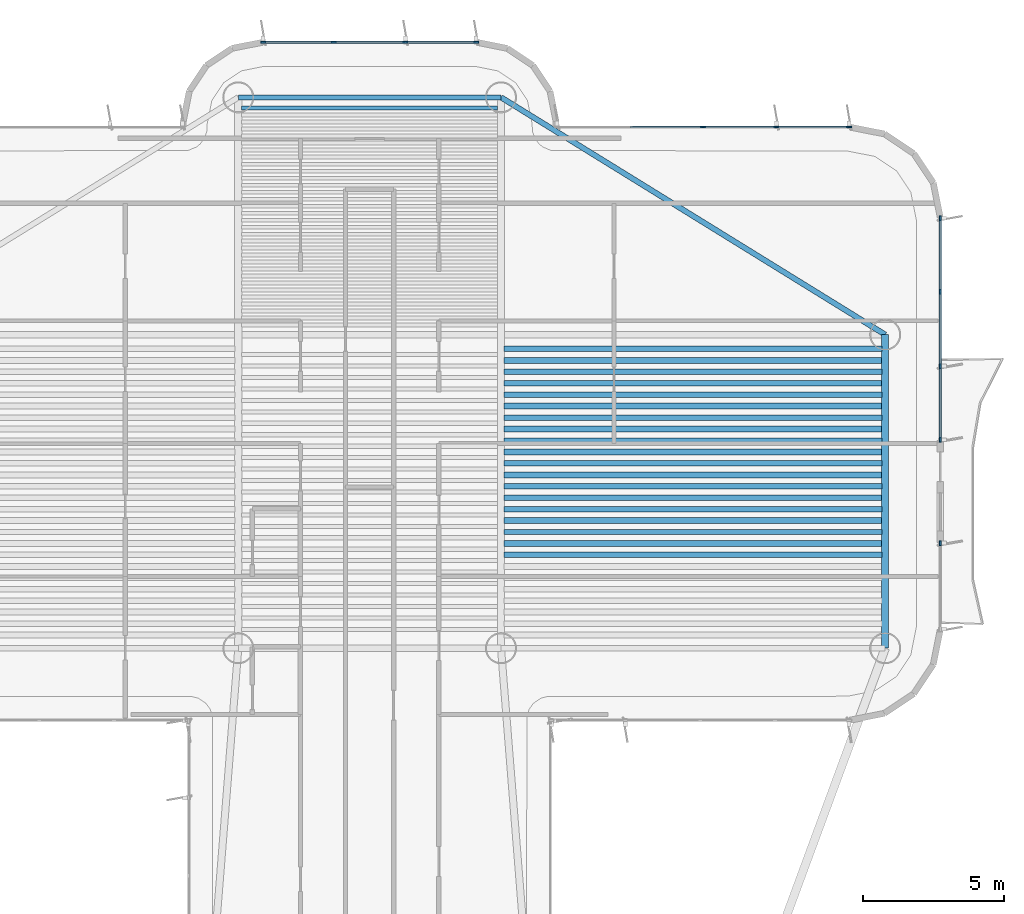
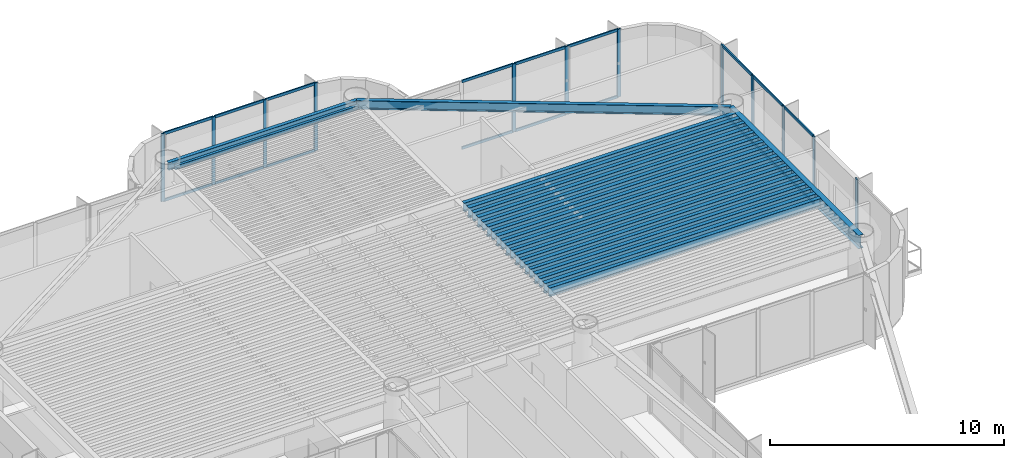
# One storey, part 7 of 14: 30 members, 23 beams, 4 elements without a shape of their own.
"""IFC4 building model written with IfcOpenShell, lengths in metres."""

import ifcopenshell
import ifcopenshell.guid

model = None  # the IFC model being written
_history = None  # IfcOwnerHistory: only IFC2X3 demands one
_inside = {}  # id of a spatial element -> (the spatial element, [elements in it])
_under = {}  # id of a project, library or spatial element -> (it, [spatial elements below it])
_declared = {}  # id of a project -> (the project, [libraries it declares])
_typed = {}  # id of a type object -> (the type object, [elements of that type])
_made_of = {}  # id of a material, layer set ... -> (it, [elements and type objects made of it])


def new_model(schema):
    """Start an empty IFC model of exactly this schema.

    Asked for "IFC4X3", IfcOpenShell would pick the latest addendum, in which some entities
    have other attributes; the version numbers below select the first issue.
    IFC2X3 requires an IfcOwnerHistory on every rooted entity: one is made here for all.
    """
    global model, _history
    if schema == "IFC4X3":
        model = ifcopenshell.file(schema_version=(4, 3, 0, 0))
    else:
        model = ifcopenshell.file(schema=schema)
    _inside.clear()
    _under.clear()
    _declared.clear()
    _typed.clear()
    _made_of.clear()
    _history = None
    if model.schema == "IFC2X3":
        org = make("IfcOrganization", Name="unknown")
        user = make(
            "IfcPersonAndOrganization",
            ThePerson=make("IfcPerson", FamilyName="unknown"),
            TheOrganization=org,
        )
        app = make(
            "IfcApplication",
            ApplicationDeveloper=org,
            Version="unknown",
            ApplicationFullName="unknown",
            ApplicationIdentifier="unknown",
        )
        _history = make(
            "IfcOwnerHistory",
            OwningUser=user,
            OwningApplication=app,
            ChangeAction="ADDED",
            CreationDate=0,
        )
    return model


def make(cls, **values):
    """One entity of the class cls with the attributes given. An attribute that is None is left unset."""
    return model.create_entity(
        cls, **{name: value for name, value in values.items() if value is not None}
    )


def rooted(cls, **values):
    """An entity with a GlobalId (a new one), such as an element, a storey or a relation."""
    return make(cls, GlobalId=ifcopenshell.guid.new(), OwnerHistory=_history, **values)


def si_unit(unit_type, name, prefix=None):
    """IfcSIUnit, for example si_unit("LENGTHUNIT", "METRE", prefix="MILLI")."""
    return make("IfcSIUnit", UnitType=unit_type, Prefix=prefix, Name=name)


def assignment(units):
    """IfcUnitAssignment: the units of a project."""
    return None if units is None else make("IfcUnitAssignment", Units=units)


def point(xyz):
    """IfcCartesianPoint."""
    return None if xyz is None else make("IfcCartesianPoint", Coordinates=xyz)


def direction(xyz):
    """IfcDirection."""
    return None if xyz is None else make("IfcDirection", DirectionRatios=xyz)


def frame(location, z_axis=None, x_axis=None):
    """IfcAxis2Placement3D, a coordinate frame: its origin and axes. An axis left out is left unset."""
    return make(
        "IfcAxis2Placement3D",
        Location=point(location),
        Axis=direction(z_axis),
        RefDirection=direction(x_axis),
    )


def frame_2d(location, x_axis=None):
    """IfcAxis2Placement2D, a coordinate frame in the plane: its origin and x axis."""
    return make(
        "IfcAxis2Placement2D", Location=point(location), RefDirection=direction(x_axis)
    )


def origin():
    """The frame at (0, 0, 0) with its axes left unset."""
    return frame((0.0, 0.0, 0.0))


def origin_2d():
    """The frame at (0, 0) in the plane with its x axis left unset."""
    return frame_2d((0.0, 0.0))


def place(relative_to, where):
    """IfcLocalPlacement: puts the frame where relative to a parent placement (None: the world)."""
    return make(
        "IfcLocalPlacement", PlacementRelTo=relative_to, RelativePlacement=where
    )


def context(
    kind, dimensions, precision=None, world=None, true_north=None, identifier=None
):
    """IfcGeometricRepresentationContext, for example the 3D "Model" context."""
    return make(
        "IfcGeometricRepresentationContext",
        ContextIdentifier=identifier,
        ContextType=kind,
        CoordinateSpaceDimension=dimensions,
        Precision=precision,
        WorldCoordinateSystem=world,
        TrueNorth=true_north,
    )


def subcontext(parent, identifier, kind, view, scale=None):
    """IfcGeometricRepresentationSubContext, for example "Body" below "Model"."""
    return make(
        "IfcGeometricRepresentationSubContext",
        ContextIdentifier=identifier,
        ContextType=kind,
        ParentContext=parent,
        TargetScale=scale,
        TargetView=view,
    )


def project(units=None, contexts=None):
    """IfcProject with its units and contexts."""
    return rooted(
        "IfcProject",
        Name="project",
        RepresentationContexts=contexts,
        UnitsInContext=assignment(units),
    )


def spatial(cls, under=None, at=None, **own):
    """A site, building, storey or space (cls), placed at a placement, below another one or the project."""
    s = rooted(cls, ObjectPlacement=at, **own)
    if under is not None:
        _under.setdefault(under.id(), (under, []))[1].append(s)
    return s


def profile(cls, at=None, kind="AREA", **sizes):
    """A parametric profile (cls). Its sizes go by their IFC names, for example OverallWidth=200.0."""
    return make(cls, ProfileType=kind, Position=at, **sizes)


def rectangle(**sizes):
    """IfcRectangleProfileDef."""
    return profile("IfcRectangleProfileDef", **sizes)


def i_section(**sizes):
    """IfcIShapeProfileDef."""
    return profile("IfcIShapeProfileDef", **sizes)


def extrude(swept, where, along, depth):
    """IfcExtrudedAreaSolid: the profile swept, set in the frame where, extruded along a direction by depth."""
    return make(
        "IfcExtrudedAreaSolid",
        SweptArea=swept,
        Position=where,
        ExtrudedDirection=direction(along),
        Depth=depth,
    )


def shape(context_of_items, identifier, shape_type, items):
    """IfcShapeRepresentation: the items that make up one representation, for example the "Body"."""
    return make(
        "IfcShapeRepresentation",
        ContextOfItems=context_of_items,
        RepresentationIdentifier=identifier,
        RepresentationType=shape_type,
        Items=items,
    )


def source(mapping_origin, context_of_items, identifier, shape_type, items):
    """IfcRepresentationMap: a shape defined once, which mapped items show again and again."""
    return make(
        "IfcRepresentationMap",
        MappingOrigin=mapping_origin,
        MappedRepresentation=shape(context_of_items, identifier, shape_type, items),
    )


def transform(
    local_origin,
    x_axis=None,
    y_axis=None,
    z_axis=None,
    scale=None,
    scale2=None,
    scale3=None,
    uniform=True,
):
    """IfcCartesianTransformationOperator3D, or its non-uniform kind. x_axis, y_axis, z_axis: its Axis1, 2, 3."""
    if uniform:
        return make(
            "IfcCartesianTransformationOperator3D",
            Axis1=direction(x_axis),
            Axis2=direction(y_axis),
            LocalOrigin=point(local_origin),
            Scale=scale,
            Axis3=direction(z_axis),
        )
    return make(
        "IfcCartesianTransformationOperator3DnonUniform",
        Axis1=direction(x_axis),
        Axis2=direction(y_axis),
        LocalOrigin=point(local_origin),
        Scale=scale,
        Axis3=direction(z_axis),
        Scale2=scale2,
        Scale3=scale3,
    )


def mapped(mapping_source, mapping_target):
    """IfcMappedItem: shows the shape of a source again, moved by a transform."""
    return make(
        "IfcMappedItem", MappingSource=mapping_source, MappingTarget=mapping_target
    )


def material(Name=None, Category=None):
    """IfcMaterial."""
    return make("IfcMaterial", Name=Name, Category=Category)


def layer(
    of_material, thickness, ventilated=None, Name=None, Category=None, Priority=None
):
    """IfcMaterialLayer: one layer of a wall or slab, of a material (None: an air gap)."""
    return make(
        "IfcMaterialLayer",
        Material=of_material,
        LayerThickness=thickness,
        IsVentilated=ventilated,
        Name=Name,
        Category=Category,
        Priority=Priority,
    )


def layer_set(layers, Name=None):
    """IfcMaterialLayerSet."""
    return make("IfcMaterialLayerSet", MaterialLayers=layers, LayerSetName=Name)


def material_profile(
    of_material, cross_section, Name=None, Category=None, Priority=None
):
    """IfcMaterialProfile: a cross section and its material."""
    return make(
        "IfcMaterialProfile",
        Name=Name,
        Material=of_material,
        Profile=cross_section,
        Priority=Priority,
        Category=Category,
    )


def profile_set(profiles, Name=None, composite=None):
    """IfcMaterialProfileSet."""
    return make(
        "IfcMaterialProfileSet",
        Name=Name,
        MaterialProfiles=profiles,
        CompositeProfile=composite,
    )


def made_of(thing, what):
    """Note that an element or type object is made of a material, layer set ...; save() writes the relation."""
    if what is not None:
        _made_of.setdefault(what.id(), (what, []))[1].append(thing)
    return thing


def type_object(cls, material=None, **own):
    """A type object (cls), such as IfcWallType, which elements share."""
    return made_of(rooted(cls, **own), material)


def element(
    cls,
    number,
    at=None,
    inside=None,
    cuts=None,
    type_object=None,
    material=None,
    context=None,
    identifier="Body",
    shape_type=None,
    held_by="IfcProductDefinitionShape",
    body=None,
    shapes=None,
    **own,
):
    """One element of the class cls, such as IfcWall. Its Tag is "e" and its number.

    at: its placement. inside: the storey or other place that contains it. cuts: it is an
    opening in that element (IfcRelVoidsElement). A single representation is given by context,
    identifier, shape_type and body (its items); several are given by shapes. held_by: the class
    of the entity that holds the representations. save() writes the other relations.
    """
    e = rooted(cls, Tag="e%d" % number, ObjectPlacement=at, **own)
    if body is not None:
        shapes = [shape(context, identifier, shape_type, body)]
    if shapes is not None:
        e.Representation = make(held_by, Representations=shapes)
    if inside is not None:
        _inside.setdefault(inside.id(), (inside, []))[1].append(e)
    if cuts is not None:
        rooted(
            "IfcRelVoidsElement", RelatingBuildingElement=cuts, RelatedOpeningElement=e
        )
    if type_object is not None:
        _typed.setdefault(type_object.id(), (type_object, []))[1].append(e)
    return made_of(e, material)


def aggregate(whole, parts):
    """IfcRelAggregates: a whole, such as a stair, and the parts it consists of."""
    return rooted("IfcRelAggregates", RelatingObject=whole, RelatedObjects=parts)


def save(model, path):
    """Write the relations noted so far, then the file.

    IfcRelAggregates (storeys below a building ...), IfcRelContainedInSpatialStructure (elements
    in a storey), IfcRelDefinesByType, IfcRelAssociatesMaterial and IfcRelDeclares: one each for
    every whole, place, type object, material and project.
    """
    for whole, parts in _under.values():
        aggregate(whole, parts)
    for where, things in _inside.values():
        rooted(
            "IfcRelContainedInSpatialStructure",
            RelatedElements=things,
            RelatingStructure=where,
        )
    for kind, things in _typed.values():
        rooted("IfcRelDefinesByType", RelatedObjects=things, RelatingType=kind)
    for what, things in _made_of.values():
        rooted("IfcRelAssociatesMaterial", RelatedObjects=things, RelatingMaterial=what)
    for by, libraries in _declared.values():
        rooted("IfcRelDeclares", RelatingContext=by, RelatedDefinitions=libraries)
    model.write(path)


model = new_model("IFC4")

# Units and contexts
model_context = context("Model", 3, precision=1e-05, world=origin(), true_north=direction((0.0, 1.0)))
body_context = subcontext(model_context, "Body", "Model", "MODEL_VIEW")
ifc_project = project(units=[si_unit("LENGTHUNIT", "METRE"), si_unit("AREAUNIT", "SQUARE_METRE"), si_unit("VOLUMEUNIT", "CUBIC_METRE"), si_unit("PLANEANGLEUNIT", "RADIAN"), si_unit("MASSUNIT", "GRAM", prefix="KILO")], contexts=[model_context])

# Site, building, storey
site_placement = place(None, origin())
site = spatial("IfcSite", under=ifc_project, at=site_placement, CompositionType="ELEMENT")
building_placement = place(site_placement, origin())
building = spatial("IfcBuilding", under=site, at=building_placement, Name="Brelvock Crest Care Tower", CompositionType="ELEMENT")
storey_placement = place(building_placement, frame((0.0, 0.0, 198.0)))
storey = spatial("IfcBuildingStorey", under=building, at=storey_placement, Name="L50", CompositionType="ELEMENT", Elevation=198.0)

# Beams
ifc_material_1 = material(Name="Steel Grade 350", Category="steel")
ifc_material_profile_1 = material_profile(ifc_material_1, i_section(OverallWidth=0.177978515625, OverallDepth=0.406005859375, WebThickness=0.0078125, FlangeThickness=0.0126953125, FilletRadius=0.011474609375, at=origin_2d()), Name="410UB59.7")
ifc_profile_set_1 = profile_set([ifc_material_profile_1], Name="Steel Grade 350")
beam_type_1 = type_object("IfcBeamType", Name="BM-SP1", PredefinedType="SPANDREL", material=ifc_profile_set_1)
shared_shape_1 = source(origin(), body_context, "Body", "SweptSolid", [
    extrude(i_section(OverallWidth=0.177978515625, OverallDepth=0.406005859375, WebThickness=0.0078125, FlangeThickness=0.0126953125, FilletRadius=0.011474609375, at=origin_2d()), origin(), (0.0, 0.0, 1.0), 9.2998046875),
])
beam_1_placement = place(storey_placement, frame((31.35009765625, 54.449951171875, 3.326904296875), z_axis=(1.0, 0.0, 0.0), x_axis=(0.0, 1.0, 0.0)))
element("IfcBeam", 1, at=beam_1_placement, inside=storey, type_object=beam_type_1, Name="BM-TWR-L50-08", PredefinedType="SPANDREL", context=body_context, shape_type="MappedRepresentation", body=[
    mapped(shared_shape_1, transform((0.0, 0.0, 0.0), x_axis=(1.0, 0.0, 0.0), y_axis=(0.0, 1.0, 0.0), z_axis=(0.0, 0.0, 1.0), scale=1.0)),
])
ifc_material_profile_2 = material_profile(ifc_material_1, i_section(OverallWidth=0.134033203125, OverallDepth=0.20703125, WebThickness=0.00634765625, FlangeThickness=0.009521484375, FilletRadius=0.0087890625, at=origin_2d()), Name="200UB29.8")
ifc_profile_set_2 = profile_set([ifc_material_profile_2], Name="Steel Grade 350")
beam_type_2 = type_object("IfcBeamType", Name="BM-J4", PredefinedType="JOIST", material=ifc_profile_set_2)
shared_shape_2 = source(origin(), body_context, "Body", "SweptSolid", [
    extrude(i_section(OverallWidth=0.134033203125, OverallDepth=0.20703125, WebThickness=0.00634765625, FlangeThickness=0.009521484375, FilletRadius=0.0087890625, at=origin_2d()), origin(), (0.0, 0.0, 1.0), 9.06982421875),
])
beam_2_placement = place(storey_placement, frame((31.465087890625, 54.06787109375, 3.426513671875), z_axis=(1.0, 0.0, 0.0), x_axis=(0.0, 1.0, 0.0)))
element("IfcBeam", 2, at=beam_2_placement, inside=storey, type_object=beam_type_2, Name="BM-JN-L50-32", PredefinedType="JOIST", context=body_context, shape_type="MappedRepresentation", body=[
    mapped(shared_shape_2, transform((0.0, 0.0, 0.0), x_axis=(1.0, 0.0, 0.0), y_axis=(0.0, 1.0, 0.0), z_axis=(0.0, 0.0, 1.0), scale=1.0)),
])
ifc_material_profile_3 = material_profile(ifc_material_1, i_section(OverallWidth=0.208984375, OverallDepth=0.532958984375, WebThickness=0.01025390625, FlangeThickness=0.015625, FilletRadius=0.013916015625, at=origin_2d()), Name="530UB92.4")
ifc_profile_set_3 = profile_set([ifc_material_profile_3], Name="Steel Grade 350")
beam_type_3 = type_object("IfcBeamType", Name="BM-G2", PredefinedType="BEAM", material=ifc_profile_set_3)
shared_shape_3 = source(origin(), body_context, "Body", "SweptSolid", [
    extrude(i_section(OverallWidth=0.208984375, OverallDepth=0.532958984375, WebThickness=0.01025390625, FlangeThickness=0.015625, FilletRadius=0.013916015625, at=origin_2d()), origin(), (0.0, 0.0, 1.0), 13.3701171875),
])
for number, where, z_axis, x_axis, name in (
    (3, (40.764892578125, 38.657470703125, 3.263427734375), (1.0, 0.0, 0.0), (0.0, 1.0, 0.0), "BM-JE-L50-9"),
    (4, (40.764892578125, 39.4677734375, 3.263427734375), (1.0, 0.0, 0.0), (0.0, 1.0, 0.0), "BM-JE-L50-11"),
    (5, (40.764892578125, 40.278076171875, 3.263427734375), (1.0, 0.0, 0.0), (0.0, 1.0, 0.0), "BM-JE-L50-13"),
    (6, (40.764892578125, 41.08837890625, 3.263427734375), (1.0, 0.0, 0.0), (0.0, 1.0, 0.0), "BM-JE-L50-15"),
    (7, (40.764892578125, 41.898681640625, 3.263427734375), (1.0, 0.0, 0.0), (0.0, 1.0, 0.0), "BM-JE-L50-17"),
    (8, (40.764892578125, 42.708984375, 3.263427734375), (1.0, 0.0, 0.0), (0.0, 1.0, 0.0), "BM-JE-L50-19"),
    (9, (40.764892578125, 43.519287109375, 3.263427734375), (1.0, 0.0, 0.0), (0.0, 1.0, 0.0), "BM-JE-L50-21"),
    (10, (40.764892578125, 44.32958984375, 3.263427734375), (1.0, 0.0, 0.0), (0.0, 1.0, 0.0), "BM-JE-L50-23"),
    (11, (40.764892578125, 45.139892578125, 3.263427734375), (1.0, 0.0, 0.0), (0.0, 1.0, 0.0), "BM-JE-L50-25"),
):
    element("IfcBeam", number, at=place(storey_placement, frame(where, z_axis=z_axis, x_axis=x_axis)), inside=storey, type_object=beam_type_3, Name=name, PredefinedType="BEAM", context=body_context, shape_type="MappedRepresentation", body=[
        mapped(shared_shape_3, transform((0.0, 0.0, 0.0), x_axis=(1.0, 0.0, 0.0), y_axis=(0.0, 1.0, 0.0), z_axis=(0.0, 0.0, 1.0), scale=1.0)),
    ])
ifc_material_profile_4 = material_profile(ifc_material_1, i_section(OverallWidth=0.19091796875, OverallDepth=0.4599609375, WebThickness=0.010009765625, FlangeThickness=0.01611328125, FilletRadius=0.011474609375, at=origin_2d()), Name="460UB82.1")
ifc_profile_set_4 = profile_set([ifc_material_profile_4], Name="Steel Grade 350")
beam_type_4 = type_object("IfcBeamType", Name="BM-G3", PredefinedType="BEAM", material=ifc_profile_set_4)
shared_shape_4 = source(origin(), body_context, "Body", "SweptSolid", [
    extrude(i_section(OverallWidth=0.19091796875, OverallDepth=0.4599609375, WebThickness=0.010009765625, FlangeThickness=0.01611328125, FilletRadius=0.011474609375, at=origin_2d()), origin(), (0.0, 0.0, 1.0), 13.3701171875),
])
for number, where, z_axis, x_axis, name in (
    (12, (40.764892578125, 38.252197265625, 3.300048828125), (1.0, 0.0, 0.0), (0.0, 1.0, 0.0), "BM-JE-L50-8"),
    (13, (40.764892578125, 39.0625, 3.300048828125), (1.0, 0.0, 0.0), (0.0, 1.0, 0.0), "BM-JE-L50-10"),
    (14, (40.764892578125, 39.872802734375, 3.300048828125), (1.0, 0.0, 0.0), (0.0, 1.0, 0.0), "BM-JE-L50-12"),
    (15, (40.764892578125, 40.68310546875, 3.300048828125), (1.0, 0.0, 0.0), (0.0, 1.0, 0.0), "BM-JE-L50-14"),
    (16, (40.764892578125, 41.493408203125, 3.300048828125), (1.0, 0.0, 0.0), (0.0, 1.0, 0.0), "BM-JE-L50-16"),
    (17, (40.764892578125, 42.3037109375, 3.300048828125), (1.0, 0.0, 0.0), (0.0, 1.0, 0.0), "BM-JE-L50-18"),
    (18, (40.764892578125, 43.114013671875, 3.300048828125), (1.0, 0.0, 0.0), (0.0, 1.0, 0.0), "BM-JE-L50-20"),
    (19, (40.764892578125, 43.92431640625, 3.300048828125), (1.0, 0.0, 0.0), (0.0, 1.0, 0.0), "BM-JE-L50-22"),
    (20, (40.764892578125, 44.734619140625, 3.300048828125), (1.0, 0.0, 0.0), (0.0, 1.0, 0.0), "BM-JE-L50-24"),
    (21, (40.764892578125, 45.544921875, 3.300048828125), (1.0, 0.0, 0.0), (0.0, 1.0, 0.0), "BM-JE-L50-26"),
):
    element("IfcBeam", number, at=place(storey_placement, frame(where, z_axis=z_axis, x_axis=x_axis)), inside=storey, type_object=beam_type_4, Name=name, PredefinedType="BEAM", context=body_context, shape_type="MappedRepresentation", body=[
        mapped(shared_shape_4, transform((0.0, 0.0, 0.0), x_axis=(1.0, 0.0, 0.0), y_axis=(0.0, 1.0, 0.0), z_axis=(0.0, 0.0, 1.0), scale=1.0)),
    ])
ifc_material_profile_5 = material_profile(ifc_material_1, i_section(OverallWidth=0.25, OverallDepth=0.699951171875, WebThickness=0.011962890625, FlangeThickness=0.02001953125, at=origin_2d()), Name="700WB150")
ifc_profile_set_5 = profile_set([ifc_material_profile_5], Name="Steel Grade 350")
beam_type_5 = type_object("IfcBeamType", Name="BM-G4", PredefinedType="BEAM", material=ifc_profile_set_5)
shared_shape_5 = source(origin(), body_context, "Body", "SweptSolid", [
    extrude(i_section(OverallWidth=0.25, OverallDepth=0.699951171875, WebThickness=0.011962890625, FlangeThickness=0.02001953125, at=origin_2d()), origin(), (0.0, 0.0, 1.0), 11.10009765625),
])
beam_3_placement = place(storey_placement, frame((54.25, 34.949951171875, 3.179931640625), z_axis=(0.0, 1.0, 0.0), x_axis=(-1.0, 0.0, 0.0)))
element("IfcBeam", 22, at=beam_3_placement, inside=storey, type_object=beam_type_5, Name="BM-TWR-L50-02", PredefinedType="BEAM", context=body_context, shape_type="MappedRepresentation", body=[
    mapped(shared_shape_5, transform((0.0, 0.0, 0.0), x_axis=(1.0, 0.0, 0.0), y_axis=(0.0, 1.0, 0.0), z_axis=(0.0, 0.0, 1.0), scale=1.0)),
])
ifc_material_profile_6 = material_profile(ifc_material_1, i_section(OverallWidth=0.19091796875, OverallDepth=0.4599609375, WebThickness=0.010009765625, FlangeThickness=0.01611328125, FilletRadius=0.011474609375, at=origin_2d()), Name="460UB82.1")
ifc_profile_set_6 = profile_set([ifc_material_profile_6], Name="Steel Grade 350")
beam_type_6 = type_object("IfcBeamType", Name="BM-SP2", PredefinedType="SPANDREL", material=ifc_profile_set_6)
shared_shape_6 = source(origin(), body_context, "Body", "SweptSolid", [
    extrude(i_section(OverallWidth=0.19091796875, OverallDepth=0.4599609375, WebThickness=0.010009765625, FlangeThickness=0.01611328125, FilletRadius=0.011474609375, at=origin_2d()), origin(), (0.0, 0.0, 1.0), 15.985107421875),
])
beam_4_placement = place(storey_placement, frame((40.64990234375, 54.449951171875, 3.300048828125), z_axis=(0.850802415717, -0.525485727124, 0.0), x_axis=(0.525485727124, 0.850802415717, 0.0)))
element("IfcBeam", 23, at=beam_4_placement, inside=storey, type_object=beam_type_6, Name="BM-TWR-L50-07", PredefinedType="SPANDREL", context=body_context, shape_type="MappedRepresentation", body=[
    mapped(shared_shape_6, transform((0.0, 0.0, 0.0), x_axis=(1.0, 0.0, 0.0), y_axis=(0.0, 1.0, 0.0), z_axis=(0.0, 0.0, 1.0), scale=1.0)),
])

# Curtain wall, members
ifc_material_2 = material(Name="Dark Glass Double Glazed Low-E", Category="glass")
ifc_layer = layer(ifc_material_2, 0.22509765625, Name="CWS-4")
ifc_layer_set = layer_set([ifc_layer], Name="Dark Glass Double Glazed Low-E")
curtain_wall_type = type_object("IfcCurtainWallType", Name="CWS-4", PredefinedType="NOTDEFINED", material=ifc_layer_set)
curtain_wall_1_placement = place(storey_placement, origin())
curtain_wall_1 = element("IfcCurtainWall", 24, at=curtain_wall_1_placement, inside=storey, type_object=curtain_wall_type, Name="L50 Curtain Wall E28", PredefinedType="NOTDEFINED")
ifc_material_3 = material(Name="Aluminium 6063-T6", Category="aluminium")
ifc_material_profile_7 = material_profile(ifc_material_3, rectangle(XDim=0.06005859375, YDim=0.179931640625, at=origin_2d()), Name="ALU60x180")
ifc_profile_set_7 = profile_set([ifc_material_profile_7], Name="Aluminium 6063-T6")
member_type_1 = type_object("IfcMemberType", Name="CWM-2", PredefinedType="MULLION", material=ifc_profile_set_7)
shared_shape_7 = source(origin(), body_context, "Body", "SweptSolid", [
    extrude(rectangle(XDim=0.06005859375, YDim=0.179931640625, at=origin_2d()), origin(), (0.0, 0.0, 1.0), 3.530029296875),
])
member_1_placement = place(storey_placement, frame((32.22998046875, 56.39990234375, 0.0), z_axis=(0.0, 0.0, 1.0), x_axis=(0.0, 1.0, 0.0)))
member_1 = element("IfcMember", 25, at=member_1_placement, type_object=member_type_1, Name="CW-4 mullion 1", PredefinedType="MULLION", context=body_context, shape_type="MappedRepresentation", body=[
    mapped(shared_shape_7, transform((0.0, 0.0, 0.0), x_axis=(1.0, 0.0, 0.0), y_axis=(0.0, 1.0, 0.0), z_axis=(0.0, 0.0, 1.0), scale=1.0)),
])
member_2_placement = place(storey_placement, frame((34.7333984375, 56.39990234375, 0.0), z_axis=(0.0, 0.0, 1.0), x_axis=(0.0, 1.0, 0.0)))
member_2 = element("IfcMember", 26, at=member_2_placement, type_object=member_type_1, Name="CW-4 mullion 2", PredefinedType="MULLION", context=body_context, shape_type="MappedRepresentation", body=[
    mapped(shared_shape_7, transform((0.0, 0.0, 0.0), x_axis=(1.0, 0.0, 0.0), y_axis=(0.0, 1.0, 0.0), z_axis=(0.0, 0.0, 1.0), scale=1.0)),
])
member_3_placement = place(storey_placement, frame((37.2666015625, 56.39990234375, 0.0), z_axis=(0.0, 0.0, 1.0), x_axis=(0.0, 1.0, 0.0)))
member_3 = element("IfcMember", 27, at=member_3_placement, type_object=member_type_1, Name="CW-4 mullion 3", PredefinedType="MULLION", context=body_context, shape_type="MappedRepresentation", body=[
    mapped(shared_shape_7, transform((0.0, 0.0, 0.0), x_axis=(1.0, 0.0, 0.0), y_axis=(0.0, 1.0, 0.0), z_axis=(0.0, 0.0, 1.0), scale=1.0)),
])
member_4_placement = place(storey_placement, frame((39.77001953125, 56.39990234375, 0.0), z_axis=(0.0, 0.0, 1.0), x_axis=(0.0, 1.0, 0.0)))
member_4 = element("IfcMember", 28, at=member_4_placement, type_object=member_type_1, Name="CW-4 mullion 4", PredefinedType="MULLION", context=body_context, shape_type="MappedRepresentation", body=[
    mapped(shared_shape_7, transform((0.0, 0.0, 0.0), x_axis=(1.0, 0.0, 0.0), y_axis=(0.0, 1.0, 0.0), z_axis=(0.0, 0.0, 1.0), scale=1.0)),
])

curtain_wall_2_placement = place(storey_placement, origin())
curtain_wall_2 = element("IfcCurtainWall", 29, at=curtain_wall_2_placement, inside=storey, type_object=curtain_wall_type, Name="L50 Curtain Wall E34", PredefinedType="NOTDEFINED")
member_5_placement = place(storey_placement, frame((47.800048828125, 53.39990234375, 0.0), z_axis=(0.0, 0.0, 1.0), x_axis=(0.0, 1.0, 0.0)))
member_5 = element("IfcMember", 30, at=member_5_placement, type_object=member_type_1, Name="CW-4 mullion 3", PredefinedType="MULLION", context=body_context, shape_type="MappedRepresentation", body=[
    mapped(shared_shape_7, transform((0.0, 0.0, 0.0), x_axis=(1.0, 0.0, 0.0), y_axis=(0.0, 1.0, 0.0), z_axis=(0.0, 0.0, 1.0), scale=1.0)),
])
member_6_placement = place(storey_placement, frame((50.39990234375, 53.39990234375, 0.0), z_axis=(0.0, 0.0, 1.0), x_axis=(0.0, 1.0, 0.0)))
member_6 = element("IfcMember", 31, at=member_6_placement, type_object=member_type_1, Name="CW-4 mullion 4", PredefinedType="MULLION", context=body_context, shape_type="MappedRepresentation", body=[
    mapped(shared_shape_7, transform((0.0, 0.0, 0.0), x_axis=(1.0, 0.0, 0.0), y_axis=(0.0, 1.0, 0.0), z_axis=(0.0, 0.0, 1.0), scale=1.0)),
])
member_7_placement = place(storey_placement, frame((52.969970703125, 53.39990234375, 0.0), z_axis=(0.0, 0.0, 1.0), x_axis=(0.0, 1.0, 0.0)))
member_7 = element("IfcMember", 32, at=member_7_placement, type_object=member_type_1, Name="CW-4 mullion 5", PredefinedType="MULLION", context=body_context, shape_type="MappedRepresentation", body=[
    mapped(shared_shape_7, transform((0.0, 0.0, 0.0), x_axis=(1.0, 0.0, 0.0), y_axis=(0.0, 1.0, 0.0), z_axis=(0.0, 0.0, 1.0), scale=1.0)),
])

curtain_wall_3_placement = place(storey_placement, origin())
curtain_wall_3 = element("IfcCurtainWall", 33, at=curtain_wall_3_placement, inside=storey, type_object=curtain_wall_type, Name="L50 Curtain Wall E39A", PredefinedType="NOTDEFINED")
member_8_placement = place(storey_placement, frame((56.199951171875, 50.169921875, 0.0), z_axis=(0.0, 0.0, 1.0), x_axis=(1.0, 0.0, 0.0)))
member_8 = element("IfcMember", 34, at=member_8_placement, type_object=member_type_1, Name="CW-4 mullion 1", PredefinedType="MULLION", context=body_context, shape_type="MappedRepresentation", body=[
    mapped(shared_shape_7, transform((0.0, 0.0, 0.0), x_axis=(1.0, 0.0, 0.0), y_axis=(0.0, 1.0, 0.0), z_axis=(0.0, 0.0, 1.0), scale=1.0)),
])
member_9_placement = place(storey_placement, frame((56.199951171875, 47.566650390625, 0.0), z_axis=(0.0, 0.0, 1.0), x_axis=(1.0, 0.0, 0.0)))
member_9 = element("IfcMember", 35, at=member_9_placement, type_object=member_type_1, Name="CW-4 mullion 2", PredefinedType="MULLION", context=body_context, shape_type="MappedRepresentation", body=[
    mapped(shared_shape_7, transform((0.0, 0.0, 0.0), x_axis=(1.0, 0.0, 0.0), y_axis=(0.0, 1.0, 0.0), z_axis=(0.0, 0.0, 1.0), scale=1.0)),
])
member_10_placement = place(storey_placement, frame((56.199951171875, 44.933349609375, 0.0), z_axis=(0.0, 0.0, 1.0), x_axis=(1.0, 0.0, 0.0)))
member_10 = element("IfcMember", 36, at=member_10_placement, type_object=member_type_1, Name="CW-4 mullion 3", PredefinedType="MULLION", context=body_context, shape_type="MappedRepresentation", body=[
    mapped(shared_shape_7, transform((0.0, 0.0, 0.0), x_axis=(1.0, 0.0, 0.0), y_axis=(0.0, 1.0, 0.0), z_axis=(0.0, 0.0, 1.0), scale=1.0)),
])
member_11_placement = place(storey_placement, frame((56.199951171875, 42.330078125, 0.0), z_axis=(0.0, 0.0, 1.0), x_axis=(1.0, 0.0, 0.0)))
member_11 = element("IfcMember", 37, at=member_11_placement, type_object=member_type_1, Name="CW-4 mullion 4", PredefinedType="MULLION", context=body_context, shape_type="MappedRepresentation", body=[
    mapped(shared_shape_7, transform((0.0, 0.0, 0.0), x_axis=(1.0, 0.0, 0.0), y_axis=(0.0, 1.0, 0.0), z_axis=(0.0, 0.0, 1.0), scale=1.0)),
])

# Curtain wall, member
curtain_wall_4_placement = place(storey_placement, origin())
curtain_wall_4 = element("IfcCurtainWall", 38, at=curtain_wall_4_placement, inside=storey, type_object=curtain_wall_type, Name="L50 Curtain Wall E39B", PredefinedType="NOTDEFINED")
member_12_placement = place(storey_placement, frame((56.199951171875, 38.669921875, 0.0), z_axis=(0.0, 0.0, 1.0), x_axis=(1.0, 0.0, 0.0)))
member_12 = element("IfcMember", 39, at=member_12_placement, type_object=member_type_1, Name="CW-4 mullion 1", PredefinedType="MULLION", context=body_context, shape_type="MappedRepresentation", body=[
    mapped(shared_shape_7, transform((0.0, 0.0, 0.0), x_axis=(1.0, 0.0, 0.0), y_axis=(0.0, 1.0, 0.0), z_axis=(0.0, 0.0, 1.0), scale=1.0)),
])
aggregate(curtain_wall_4, [member_12])

# Member
ifc_material_profile_8 = material_profile(ifc_material_3, rectangle(XDim=0.06005859375, YDim=0.139892578125, at=origin_2d()), Name="ALU60x140")
ifc_profile_set_8 = profile_set([ifc_material_profile_8], Name="Aluminium 6063-T6")
member_type_2 = type_object("IfcMemberType", Name="CWT-2", PredefinedType="USERDEFINED", material=ifc_profile_set_8)
shared_shape_8 = source(origin(), body_context, "Body", "SweptSolid", [
    extrude(rectangle(XDim=0.06005859375, YDim=0.139892578125, at=origin_2d()), origin(), (0.0, 0.0, 1.0), 2.443359375),
])
member_13_placement = place(storey_placement, frame((32.260009765625, 56.39990234375, 0.030029296875), z_axis=(1.0, 0.0, 0.0), x_axis=(0.0, 1.0, 0.0)))
member_13 = element("IfcMember", 40, at=member_13_placement, type_object=member_type_2, Name="CW-4 transom 1.1", ObjectType="TRANSOM", PredefinedType="USERDEFINED", context=body_context, shape_type="MappedRepresentation", body=[
    mapped(shared_shape_8, transform((0.0, 0.0, 0.0), x_axis=(1.0, 0.0, 0.0), y_axis=(0.0, 1.0, 0.0), z_axis=(0.0, 0.0, 1.0), scale=1.0)),
])

member_14_placement = place(storey_placement, frame((32.260009765625, 56.39990234375, 3.5), z_axis=(1.0, 0.0, 0.0), x_axis=(0.0, 1.0, 0.0)))
member_14 = element("IfcMember", 41, at=member_14_placement, type_object=member_type_2, Name="CW-4 transom 1.2", ObjectType="TRANSOM", PredefinedType="USERDEFINED", context=body_context, shape_type="MappedRepresentation", body=[
    mapped(shared_shape_8, transform((0.0, 0.0, 0.0), x_axis=(1.0, 0.0, 0.0), y_axis=(0.0, 1.0, 0.0), z_axis=(0.0, 0.0, 1.0), scale=1.0)),
])

member_15_placement = place(storey_placement, frame((37.296630859375, 56.39990234375, 0.030029296875), z_axis=(1.0, 0.0, 0.0), x_axis=(0.0, 1.0, 0.0)))
member_15 = element("IfcMember", 42, at=member_15_placement, type_object=member_type_2, Name="CW-4 transom 3.1", ObjectType="TRANSOM", PredefinedType="USERDEFINED", context=body_context, shape_type="MappedRepresentation", body=[
    mapped(shared_shape_8, transform((0.0, 0.0, 0.0), x_axis=(1.0, 0.0, 0.0), y_axis=(0.0, 1.0, 0.0), z_axis=(0.0, 0.0, 1.0), scale=1.0)),
])

member_16_placement = place(storey_placement, frame((37.296630859375, 56.39990234375, 3.5), z_axis=(1.0, 0.0, 0.0), x_axis=(0.0, 1.0, 0.0)))
member_16 = element("IfcMember", 43, at=member_16_placement, type_object=member_type_2, Name="CW-4 transom 3.2", ObjectType="TRANSOM", PredefinedType="USERDEFINED", context=body_context, shape_type="MappedRepresentation", body=[
    mapped(shared_shape_8, transform((0.0, 0.0, 0.0), x_axis=(1.0, 0.0, 0.0), y_axis=(0.0, 1.0, 0.0), z_axis=(0.0, 0.0, 1.0), scale=1.0)),
])

shared_shape_9 = source(origin(), body_context, "Body", "SweptSolid", [
    extrude(rectangle(XDim=0.06005859375, YDim=0.139892578125, at=origin_2d()), origin(), (0.0, 0.0, 1.0), 2.47314453125),
])
member_17_placement = place(storey_placement, frame((34.763427734375, 56.39990234375, 0.030029296875), z_axis=(1.0, 0.0, 0.0), x_axis=(0.0, 1.0, 0.0)))
member_17 = element("IfcMember", 44, at=member_17_placement, type_object=member_type_2, Name="CW-4 transom 2.1", ObjectType="TRANSOM", PredefinedType="USERDEFINED", context=body_context, shape_type="MappedRepresentation", body=[
    mapped(shared_shape_9, transform((0.0, 0.0, 0.0), x_axis=(1.0, 0.0, 0.0), y_axis=(0.0, 1.0, 0.0), z_axis=(0.0, 0.0, 1.0), scale=1.0)),
])

member_18_placement = place(storey_placement, frame((34.763427734375, 56.39990234375, 3.5), z_axis=(1.0, 0.0, 0.0), x_axis=(0.0, 1.0, 0.0)))
member_18 = element("IfcMember", 45, at=member_18_placement, type_object=member_type_2, Name="CW-4 transom 2.2", ObjectType="TRANSOM", PredefinedType="USERDEFINED", context=body_context, shape_type="MappedRepresentation", body=[
    mapped(shared_shape_9, transform((0.0, 0.0, 0.0), x_axis=(1.0, 0.0, 0.0), y_axis=(0.0, 1.0, 0.0), z_axis=(0.0, 0.0, 1.0), scale=1.0)),
])

aggregate(curtain_wall_1, [member_1, member_2, member_3, member_4, member_13, member_14, member_17, member_18, member_15, member_16])

shared_shape_10 = source(origin(), body_context, "Body", "SweptSolid", [
    extrude(rectangle(XDim=0.06005859375, YDim=0.139892578125, at=origin_2d()), origin(), (0.0, 0.0, 1.0), 2.510009765625),
])
member_19_placement = place(storey_placement, frame((50.429931640625, 53.39990234375, 0.030029296875), z_axis=(1.0, 0.0, 0.0), x_axis=(0.0, 1.0, 0.0)))
member_19 = element("IfcMember", 46, at=member_19_placement, type_object=member_type_2, Name="CW-4 transom 4.1", ObjectType="TRANSOM", PredefinedType="USERDEFINED", context=body_context, shape_type="MappedRepresentation", body=[
    mapped(shared_shape_10, transform((0.0, 0.0, 0.0), x_axis=(1.0, 0.0, 0.0), y_axis=(0.0, 1.0, 0.0), z_axis=(0.0, 0.0, 1.0), scale=1.0)),
])

member_20_placement = place(storey_placement, frame((50.429931640625, 53.39990234375, 3.5), z_axis=(1.0, 0.0, 0.0), x_axis=(0.0, 1.0, 0.0)))
member_20 = element("IfcMember", 47, at=member_20_placement, type_object=member_type_2, Name="CW-4 transom 4.2", ObjectType="TRANSOM", PredefinedType="USERDEFINED", context=body_context, shape_type="MappedRepresentation", body=[
    mapped(shared_shape_10, transform((0.0, 0.0, 0.0), x_axis=(1.0, 0.0, 0.0), y_axis=(0.0, 1.0, 0.0), z_axis=(0.0, 0.0, 1.0), scale=1.0)),
])

shared_shape_11 = source(origin(), body_context, "Body", "SweptSolid", [
    extrude(rectangle(XDim=0.06005859375, YDim=0.139892578125, at=origin_2d()), origin(), (0.0, 0.0, 1.0), 2.5400390625),
])
member_21_placement = place(storey_placement, frame((45.22998046875, 53.39990234375, 0.030029296875), z_axis=(1.0, 0.0, 0.0), x_axis=(0.0, 1.0, 0.0)))
member_21 = element("IfcMember", 48, at=member_21_placement, type_object=member_type_2, Name="CW-4 transom 2.1", ObjectType="TRANSOM", PredefinedType="USERDEFINED", context=body_context, shape_type="MappedRepresentation", body=[
    mapped(shared_shape_11, transform((0.0, 0.0, 0.0), x_axis=(1.0, 0.0, 0.0), y_axis=(0.0, 1.0, 0.0), z_axis=(0.0, 0.0, 1.0), scale=1.0)),
])

member_22_placement = place(storey_placement, frame((45.22998046875, 53.39990234375, 3.5), z_axis=(1.0, 0.0, 0.0), x_axis=(0.0, 1.0, 0.0)))
member_22 = element("IfcMember", 49, at=member_22_placement, type_object=member_type_2, Name="CW-4 transom 2.2", ObjectType="TRANSOM", PredefinedType="USERDEFINED", context=body_context, shape_type="MappedRepresentation", body=[
    mapped(shared_shape_11, transform((0.0, 0.0, 0.0), x_axis=(1.0, 0.0, 0.0), y_axis=(0.0, 1.0, 0.0), z_axis=(0.0, 0.0, 1.0), scale=1.0)),
])

member_23_placement = place(storey_placement, frame((47.830078125, 53.39990234375, 0.030029296875), z_axis=(1.0, 0.0, 0.0), x_axis=(0.0, 1.0, 0.0)))
member_23 = element("IfcMember", 50, at=member_23_placement, type_object=member_type_2, Name="CW-4 transom 3.1", ObjectType="TRANSOM", PredefinedType="USERDEFINED", context=body_context, shape_type="MappedRepresentation", body=[
    mapped(shared_shape_11, transform((0.0, 0.0, 0.0), x_axis=(1.0, 0.0, 0.0), y_axis=(0.0, 1.0, 0.0), z_axis=(0.0, 0.0, 1.0), scale=1.0)),
])

member_24_placement = place(storey_placement, frame((47.830078125, 53.39990234375, 3.5), z_axis=(1.0, 0.0, 0.0), x_axis=(0.0, 1.0, 0.0)))
member_24 = element("IfcMember", 51, at=member_24_placement, type_object=member_type_2, Name="CW-4 transom 3.2", ObjectType="TRANSOM", PredefinedType="USERDEFINED", context=body_context, shape_type="MappedRepresentation", body=[
    mapped(shared_shape_11, transform((0.0, 0.0, 0.0), x_axis=(1.0, 0.0, 0.0), y_axis=(0.0, 1.0, 0.0), z_axis=(0.0, 0.0, 1.0), scale=1.0)),
])

aggregate(curtain_wall_2, [member_5, member_6, member_7, member_21, member_22, member_23, member_24, member_19, member_20])

shared_shape_12 = source(origin(), body_context, "Body", "SweptSolid", [
    extrude(rectangle(XDim=0.06005859375, YDim=0.139892578125, at=origin_2d()), origin(), (0.0, 0.0, 1.0), 2.543212890625),
])
member_25_placement = place(storey_placement, frame((56.199951171875, 50.139892578125, 0.030029296875), z_axis=(0.0, -1.0, 0.0), x_axis=(1.0, 0.0, 0.0)))
member_25 = element("IfcMember", 52, at=member_25_placement, type_object=member_type_2, Name="CW-4 transom 1.1", ObjectType="TRANSOM", PredefinedType="USERDEFINED", context=body_context, shape_type="MappedRepresentation", body=[
    mapped(shared_shape_12, transform((0.0, 0.0, 0.0), x_axis=(1.0, 0.0, 0.0), y_axis=(0.0, 1.0, 0.0), z_axis=(0.0, 0.0, 1.0), scale=1.0)),
])

member_26_placement = place(storey_placement, frame((56.199951171875, 50.139892578125, 3.5), z_axis=(0.0, -1.0, 0.0), x_axis=(1.0, 0.0, 0.0)))
member_26 = element("IfcMember", 53, at=member_26_placement, type_object=member_type_2, Name="CW-4 transom 1.2", ObjectType="TRANSOM", PredefinedType="USERDEFINED", context=body_context, shape_type="MappedRepresentation", body=[
    mapped(shared_shape_12, transform((0.0, 0.0, 0.0), x_axis=(1.0, 0.0, 0.0), y_axis=(0.0, 1.0, 0.0), z_axis=(0.0, 0.0, 1.0), scale=1.0)),
])

member_27_placement = place(storey_placement, frame((56.199951171875, 44.9033203125, 0.030029296875), z_axis=(0.0, -1.0, 0.0), x_axis=(1.0, 0.0, 0.0)))
member_27 = element("IfcMember", 54, at=member_27_placement, type_object=member_type_2, Name="CW-4 transom 3.1", ObjectType="TRANSOM", PredefinedType="USERDEFINED", context=body_context, shape_type="MappedRepresentation", body=[
    mapped(shared_shape_12, transform((0.0, 0.0, 0.0), x_axis=(1.0, 0.0, 0.0), y_axis=(0.0, 1.0, 0.0), z_axis=(0.0, 0.0, 1.0), scale=1.0)),
])

member_28_placement = place(storey_placement, frame((56.199951171875, 44.9033203125, 3.5), z_axis=(0.0, -1.0, 0.0), x_axis=(1.0, 0.0, 0.0)))
member_28 = element("IfcMember", 55, at=member_28_placement, type_object=member_type_2, Name="CW-4 transom 3.2", ObjectType="TRANSOM", PredefinedType="USERDEFINED", context=body_context, shape_type="MappedRepresentation", body=[
    mapped(shared_shape_12, transform((0.0, 0.0, 0.0), x_axis=(1.0, 0.0, 0.0), y_axis=(0.0, 1.0, 0.0), z_axis=(0.0, 0.0, 1.0), scale=1.0)),
])

shared_shape_13 = source(origin(), body_context, "Body", "SweptSolid", [
    extrude(rectangle(XDim=0.06005859375, YDim=0.139892578125, at=origin_2d()), origin(), (0.0, 0.0, 1.0), 2.5732421875),
])
member_29_placement = place(storey_placement, frame((56.199951171875, 47.53662109375, 0.030029296875), z_axis=(0.0, -1.0, 0.0), x_axis=(1.0, 0.0, 0.0)))
member_29 = element("IfcMember", 56, at=member_29_placement, type_object=member_type_2, Name="CW-4 transom 2.1", ObjectType="TRANSOM", PredefinedType="USERDEFINED", context=body_context, shape_type="MappedRepresentation", body=[
    mapped(shared_shape_13, transform((0.0, 0.0, 0.0), x_axis=(1.0, 0.0, 0.0), y_axis=(0.0, 1.0, 0.0), z_axis=(0.0, 0.0, 1.0), scale=1.0)),
])

member_30_placement = place(storey_placement, frame((56.199951171875, 47.53662109375, 3.5), z_axis=(0.0, -1.0, 0.0), x_axis=(1.0, 0.0, 0.0)))
member_30 = element("IfcMember", 57, at=member_30_placement, type_object=member_type_2, Name="CW-4 transom 2.2", ObjectType="TRANSOM", PredefinedType="USERDEFINED", context=body_context, shape_type="MappedRepresentation", body=[
    mapped(shared_shape_13, transform((0.0, 0.0, 0.0), x_axis=(1.0, 0.0, 0.0), y_axis=(0.0, 1.0, 0.0), z_axis=(0.0, 0.0, 1.0), scale=1.0)),
])

aggregate(curtain_wall_3, [member_8, member_9, member_10, member_11, member_25, member_26, member_29, member_30, member_27, member_28])

save(model, "model.ifc")
